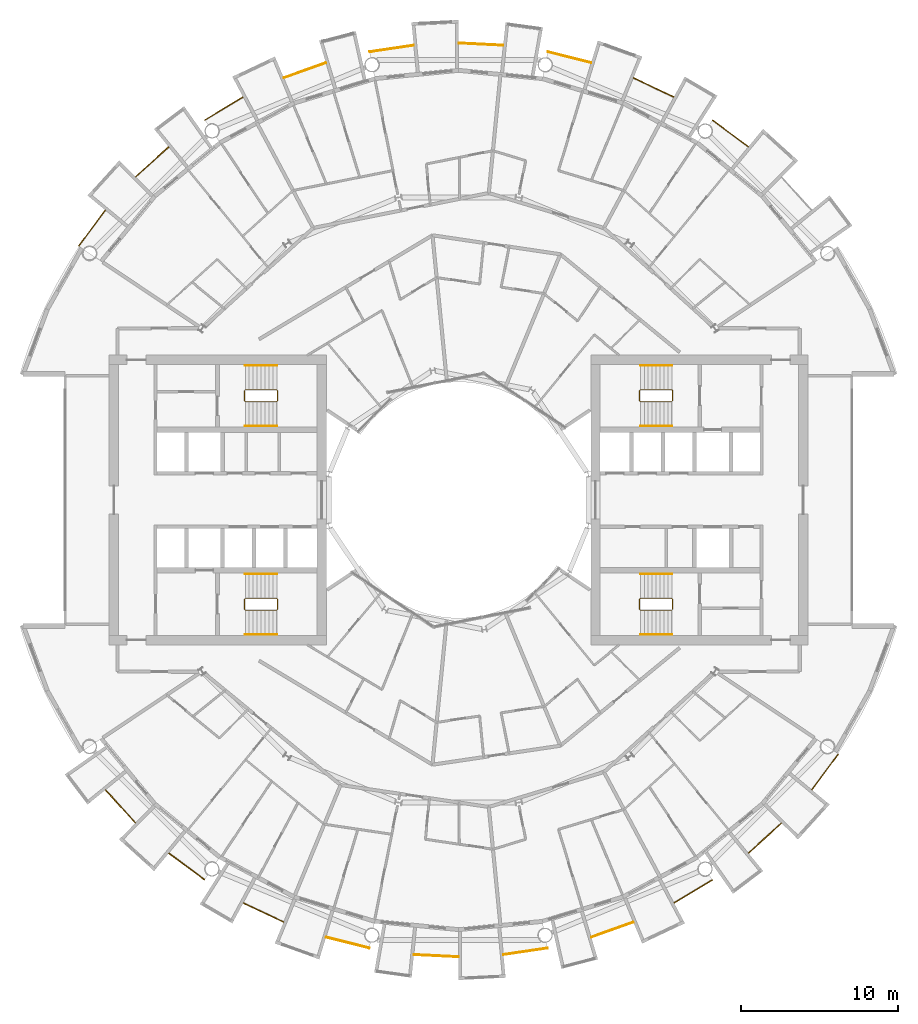
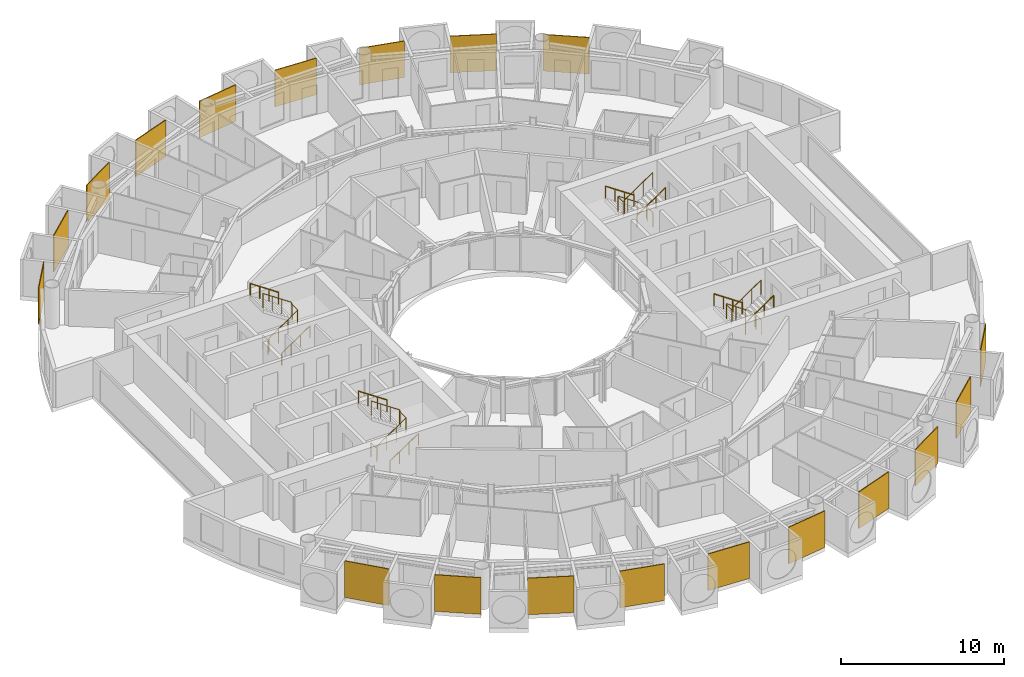
# One storey, part 27 of 28: 31 railings.
"""IFC4 building model written with IfcOpenShell, lengths in metres."""

from ifc_helpers import new_model, si_unit, direction, frame, origin, origin_2d, place, context, subcontext, project, spatial, polyline, circle, outline, extrude, material, layer, layer_set, type_object, element, save


model = new_model("IFC4")

# Units and contexts
model_context = context("Model", 3, precision=1e-05, world=origin(), true_north=direction((0.0, 1.0)))
body_context = subcontext(model_context, "Body", "Model", "MODEL_VIEW")
ifc_project = project(units=[si_unit("LENGTHUNIT", "METRE"), si_unit("AREAUNIT", "SQUARE_METRE"), si_unit("VOLUMEUNIT", "CUBIC_METRE"), si_unit("PLANEANGLEUNIT", "RADIAN"), si_unit("MASSUNIT", "GRAM", prefix="KILO")], contexts=[model_context])

# Site, building, storey
site_placement = place(None, origin())
site = spatial("IfcSite", under=ifc_project, at=site_placement, CompositionType="ELEMENT")
building_placement = place(site_placement, origin())
building = spatial("IfcBuilding", under=site, at=building_placement, Name="Maasbend Ring Residences", CompositionType="ELEMENT")
storey_placement = place(building_placement, frame((0.0, 0.0, 129.949951171875)))
storey = spatial("IfcBuildingStorey", under=building, at=storey_placement, Name="L37", CompositionType="ELEMENT", Elevation=129.949951171875)

# Railings
ifc_material_1 = material(Name="Pale anodised perforated aluminium", Category="aluminium")
ifc_layer = layer(ifc_material_1, 0.06005859375)
ifc_layer_set = layer_set([ifc_layer], Name="SCREEN-P")
railing_type_1 = type_object("IfcRailingType", Name="SCREEN-P", PredefinedType="GUARDRAIL", material=ifc_layer_set)
railing_1_placement = place(storey_placement, frame((0.0, 0.0, -0.030029296875)))
element("IfcRailing", 1, at=railing_1_placement, inside=storey, type_object=railing_type_1, Name="Perforated screen guard 2", PredefinedType="GUARDRAIL", context=body_context, shape_type="SweptSolid", body=[
    extrude(outline(polyline([(18.39697265625, 22.4169921875), (16.112060546875, 24.113037109375), (16.14697265625, 24.160888671875), (18.43310546875, 22.465087890625), (18.39697265625, 22.4169921875)])), origin(), (0.0, 0.0, 1.0), 2.72998046875),
])
railing_2_placement = place(storey_placement, frame((0.0, 0.0, -0.030029296875)))
element("IfcRailing", 2, at=railing_2_placement, inside=storey, type_object=railing_type_1, Name="Perforated screen guard 3", PredefinedType="GUARDRAIL", context=body_context, shape_type="SweptSolid", body=[
    extrude(outline(polyline([(13.6708984375, 25.575927734375), (11.097900390625, 26.79296875), (11.123046875, 26.846923828125), (13.696044921875, 25.6298828125), (13.6708984375, 25.575927734375)])), origin(), (0.0, 0.0, 1.0), 2.72998046875),
])
railing_3_placement = place(storey_placement, frame((0.0, 0.0, -0.030029296875)))
element("IfcRailing", 3, at=railing_3_placement, inside=storey, type_object=railing_type_1, Name="Perforated screen guard 4", PredefinedType="GUARDRAIL", context=body_context, shape_type="SweptSolid", body=[
    extrude(outline(polyline([(8.41796875, 27.7509765625), (5.657958984375, 28.443115234375), (5.672119140625, 28.5009765625), (8.43310546875, 27.80908203125), (8.41796875, 27.7509765625)])), origin(), (0.0, 0.0, 1.0), 2.72998046875),
])
railing_4_placement = place(storey_placement, frame((0.0, 0.0, -0.030029296875)))
element("IfcRailing", 4, at=railing_4_placement, inside=storey, type_object=railing_type_1, Name="Perforated screen guard 5", PredefinedType="GUARDRAIL", context=body_context, shape_type="SweptSolid", body=[
    extrude(outline(polyline([(2.842041015625, 28.860107421875), (0.0, 29.0), (0.0029296875, 29.06005859375), (2.844970703125, 28.919921875), (2.842041015625, 28.860107421875)])), origin(), (0.0, 0.0, 1.0), 2.72998046875),
])
railing_5_placement = place(storey_placement, frame((0.0, 0.0, -0.030029296875)))
element("IfcRailing", 5, at=railing_5_placement, inside=storey, type_object=railing_type_1, Name="Perforated screen guard 6", PredefinedType="GUARDRAIL", context=body_context, shape_type="SweptSolid", body=[
    extrude(outline(polyline([(-2.842041015625, 28.860107421875), (-5.657958984375, 28.443115234375), (-5.666015625, 28.501953125), (-2.85107421875, 28.919921875), (-2.842041015625, 28.860107421875)])), origin(), (0.0, 0.0, 1.0), 2.72998046875),
])
railing_6_placement = place(storey_placement, frame((0.0, 0.0, -0.030029296875)))
element("IfcRailing", 6, at=railing_6_placement, inside=storey, type_object=railing_type_1, Name="Perforated screen guard 7", PredefinedType="GUARDRAIL", context=body_context, shape_type="SweptSolid", body=[
    extrude(outline(polyline([(-8.41796875, 27.7509765625), (-11.097900390625, 26.79296875), (-11.117919921875, 26.84912109375), (-8.43798828125, 27.80810546875), (-8.41796875, 27.7509765625)])), origin(), (0.0, 0.0, 1.0), 2.72998046875),
])
railing_7_placement = place(storey_placement, frame((0.0, 0.0, -0.030029296875)))
element("IfcRailing", 7, at=railing_7_placement, inside=storey, type_object=railing_type_1, Name="Perforated screen guard 8", PredefinedType="GUARDRAIL", context=body_context, shape_type="SweptSolid", body=[
    extrude(outline(polyline([(-13.6708984375, 25.575927734375), (-16.112060546875, 24.113037109375), (-16.14208984375, 24.1640625), (-13.700927734375, 25.626953125), (-13.6708984375, 25.575927734375)])), origin(), (0.0, 0.0, 1.0), 2.72998046875),
])
railing_8_placement = place(storey_placement, frame((0.0, 0.0, -0.030029296875)))
element("IfcRailing", 8, at=railing_8_placement, inside=storey, type_object=railing_type_1, Name="Perforated screen guard 9", PredefinedType="GUARDRAIL", context=body_context, shape_type="SweptSolid", body=[
    extrude(outline(polyline([(-18.39697265625, 22.4169921875), (-20.506103515625, 20.506103515625), (-20.5458984375, 20.551025390625), (-18.43798828125, 22.4619140625), (-18.39697265625, 22.4169921875)])), origin(), (0.0, 0.0, 1.0), 2.72998046875),
])
railing_9_placement = place(storey_placement, frame((0.0, 0.0, -0.030029296875)))
element("IfcRailing", 9, at=railing_9_placement, inside=storey, type_object=railing_type_1, Name="Perforated screen guard 10", PredefinedType="GUARDRAIL", context=body_context, shape_type="SweptSolid", body=[
    extrude(outline(polyline([(-22.4169921875, 18.39697265625), (-24.113037109375, 16.112060546875), (-24.160888671875, 16.14697265625), (-22.465087890625, 18.43310546875), (-22.4169921875, 18.39697265625)])), origin(), (0.0, 0.0, 1.0), 2.72998046875),
])
railing_10_placement = place(storey_placement, frame((0.0, 0.0, -0.030029296875)))
element("IfcRailing", 10, at=railing_10_placement, inside=storey, type_object=railing_type_1, Name="Perforated screen guard 1", PredefinedType="GUARDRAIL", context=body_context, shape_type="SweptSolid", body=[
    extrude(outline(polyline([(-22.4169921875, -18.39697265625), (-20.506103515625, -20.506103515625), (-20.551025390625, -20.5458984375), (-22.4619140625, -18.43798828125), (-22.4169921875, -18.39697265625)])), origin(), (0.0, 0.0, 1.0), 2.72998046875),
])
railing_11_placement = place(storey_placement, frame((0.0, 0.0, -0.030029296875)))
element("IfcRailing", 11, at=railing_11_placement, inside=storey, type_object=railing_type_1, Name="Perforated screen guard 2", PredefinedType="GUARDRAIL", context=body_context, shape_type="SweptSolid", body=[
    extrude(outline(polyline([(-18.39697265625, -22.4169921875), (-16.112060546875, -24.113037109375), (-16.14697265625, -24.160888671875), (-18.43310546875, -22.465087890625), (-18.39697265625, -22.4169921875)])), origin(), (0.0, 0.0, 1.0), 2.72998046875),
])
railing_12_placement = place(storey_placement, frame((0.0, 0.0, -0.030029296875)))
element("IfcRailing", 12, at=railing_12_placement, inside=storey, type_object=railing_type_1, Name="Perforated screen guard 3", PredefinedType="GUARDRAIL", context=body_context, shape_type="SweptSolid", body=[
    extrude(outline(polyline([(-13.6708984375, -25.575927734375), (-11.097900390625, -26.79296875), (-11.123046875, -26.846923828125), (-13.696044921875, -25.6298828125), (-13.6708984375, -25.575927734375)])), origin(), (0.0, 0.0, 1.0), 2.72998046875),
])
railing_13_placement = place(storey_placement, frame((0.0, 0.0, -0.030029296875)))
element("IfcRailing", 13, at=railing_13_placement, inside=storey, type_object=railing_type_1, Name="Perforated screen guard 4", PredefinedType="GUARDRAIL", context=body_context, shape_type="SweptSolid", body=[
    extrude(outline(polyline([(-8.41796875, -27.7509765625), (-5.657958984375, -28.443115234375), (-5.672119140625, -28.5009765625), (-8.43310546875, -27.80908203125), (-8.41796875, -27.7509765625)])), origin(), (0.0, 0.0, 1.0), 2.72998046875),
])
railing_14_placement = place(storey_placement, frame((0.0, 0.0, -0.030029296875)))
element("IfcRailing", 14, at=railing_14_placement, inside=storey, type_object=railing_type_1, Name="Perforated screen guard 5", PredefinedType="GUARDRAIL", context=body_context, shape_type="SweptSolid", body=[
    extrude(outline(polyline([(-2.842041015625, -28.860107421875), (0.0, -29.0), (-0.0029296875, -29.06005859375), (-2.844970703125, -28.919921875), (-2.842041015625, -28.860107421875)])), origin(), (0.0, 0.0, 1.0), 2.72998046875),
])
railing_15_placement = place(storey_placement, frame((0.0, 0.0, -0.030029296875)))
element("IfcRailing", 15, at=railing_15_placement, inside=storey, type_object=railing_type_1, Name="Perforated screen guard 6", PredefinedType="GUARDRAIL", context=body_context, shape_type="SweptSolid", body=[
    extrude(outline(polyline([(2.842041015625, -28.860107421875), (5.657958984375, -28.443115234375), (5.666015625, -28.501953125), (2.85107421875, -28.919921875), (2.842041015625, -28.860107421875)])), origin(), (0.0, 0.0, 1.0), 2.72998046875),
])
railing_16_placement = place(storey_placement, frame((0.0, 0.0, -0.030029296875)))
element("IfcRailing", 16, at=railing_16_placement, inside=storey, type_object=railing_type_1, Name="Perforated screen guard 7", PredefinedType="GUARDRAIL", context=body_context, shape_type="SweptSolid", body=[
    extrude(outline(polyline([(8.41796875, -27.7509765625), (11.097900390625, -26.79296875), (11.117919921875, -26.84912109375), (8.43798828125, -27.80810546875), (8.41796875, -27.7509765625)])), origin(), (0.0, 0.0, 1.0), 2.72998046875),
])
railing_17_placement = place(storey_placement, frame((0.0, 0.0, -0.030029296875)))
element("IfcRailing", 17, at=railing_17_placement, inside=storey, type_object=railing_type_1, Name="Perforated screen guard 8", PredefinedType="GUARDRAIL", context=body_context, shape_type="SweptSolid", body=[
    extrude(outline(polyline([(13.6708984375, -25.575927734375), (16.112060546875, -24.113037109375), (16.14208984375, -24.1640625), (13.700927734375, -25.626953125), (13.6708984375, -25.575927734375)])), origin(), (0.0, 0.0, 1.0), 2.72998046875),
])
railing_18_placement = place(storey_placement, frame((0.0, 0.0, -0.030029296875)))
element("IfcRailing", 18, at=railing_18_placement, inside=storey, type_object=railing_type_1, Name="Perforated screen guard 9", PredefinedType="GUARDRAIL", context=body_context, shape_type="SweptSolid", body=[
    extrude(outline(polyline([(18.39697265625, -22.4169921875), (20.506103515625, -20.506103515625), (20.5458984375, -20.551025390625), (18.43798828125, -22.4619140625), (18.39697265625, -22.4169921875)])), origin(), (0.0, 0.0, 1.0), 2.72998046875),
])
railing_19_placement = place(storey_placement, frame((0.0, 0.0, -0.030029296875)))
element("IfcRailing", 19, at=railing_19_placement, inside=storey, type_object=railing_type_1, Name="Perforated screen guard 10", PredefinedType="GUARDRAIL", context=body_context, shape_type="SweptSolid", body=[
    extrude(outline(polyline([(22.4169921875, -18.39697265625), (24.113037109375, -16.112060546875), (24.160888671875, -16.14697265625), (22.465087890625, -18.43310546875), (22.4169921875, -18.39697265625)])), origin(), (0.0, 0.0, 1.0), 2.72998046875),
])
ifc_material_2 = material(Name="Stainless steel 316", Category="steel")
railing_type_2 = type_object("IfcRailingType", Name="STAIR GUARD 1100", PredefinedType="GUARDRAIL", material=ifc_material_2)
railing_20_placement = place(storey_placement, frame((13.60009765625, 6.300048828125, 0.0)))
element("IfcRailing", 20, at=railing_20_placement, inside=storey, type_object=railing_type_2, Name="L37 ST-E1 stair guard 1", PredefinedType="GUARDRAIL", context=body_context, shape_type="SweptSolid", body=[
    extrude(circle(Radius=0.02392578125, at=origin_2d()), frame((0.0, 0.0, 1.076171875), z_axis=(0.0, 1.0, 0.0), x_axis=(-1.0, 0.0, 0.0)), (0.0, 0.0, 1.0), 0.64990234375),
    extrude(circle(Radius=0.02392578125, at=origin_2d()), frame((0.0, 0.64990234375, 1.076171875), z_axis=(-0.272562526181, 0.272562526181, 0.92272386912), x_axis=(-0.707106781187, -0.707106781187, 0.0)), (0.0, 0.0, 1.0), 0.18359375),
    extrude(circle(Radius=0.02392578125, at=origin_2d()), frame((-0.050048828125, 0.699951171875, 1.24560546875), z_axis=(-0.827750655447, 0.0, 0.561096116906), x_axis=(0.0, -1.0, 0.0)), (0.0, 0.0, 1.0), 2.416259765625),
    extrude(circle(Radius=0.02392578125, at=origin_2d()), frame((-2.050048828125, 0.699951171875, 2.60107421875), z_axis=(-0.707106781187, -0.707106781187, 0.0), x_axis=(0.707106781187, -0.707106781187, 0.0)), (0.0, 0.0, 1.0), 0.07080078125),
    extrude(circle(Radius=0.02392578125, at=origin_2d()), frame((-2.10009765625, 0.64990234375, 2.60107421875), z_axis=(0.0, -1.0, 0.0), x_axis=(1.0, 0.0, 0.0)), (0.0, 0.0, 1.0), 0.64990234375),
    extrude(circle(Radius=0.02392578125, at=origin_2d()), frame((-2.10009765625, 0.0, 2.60107421875), z_axis=(0.272562526181, -0.272562526181, 0.92272386912), x_axis=(0.707106781187, 0.707106781187, 0.0)), (0.0, 0.0, 1.0), 0.18359375),
    extrude(circle(Radius=0.02392578125, at=origin_2d()), frame((-2.050048828125, -0.050048828125, 2.7705078125), z_axis=(0.827797584762, 0.0, 0.561026878735), x_axis=(0.0, 1.0, 0.0)), (0.0, 0.0, 1.0), 2.416015625),
    extrude(circle(Radius=0.02099609375, at=origin_2d()), origin(), (0.0, 0.0, 1.0), 1.052001953125),
    extrude(circle(Radius=0.02099609375, at=origin_2d()), frame((0.0, 0.64990234375, 0.0)), (0.0, 0.0, 1.0), 1.052001953125),
    extrude(circle(Radius=0.02099609375, at=origin_2d()), frame((-0.050048828125, 0.699951171875, 0.16943359375)), (0.0, 0.0, 1.0), 1.052001953125),
    extrude(circle(Radius=0.02099609375, at=origin_2d()), frame((-0.716796875, 0.699951171875, 0.621337890625)), (0.0, 0.0, 1.0), 1.052001953125),
    extrude(circle(Radius=0.02099609375, at=origin_2d()), frame((-1.38330078125, 0.699951171875, 1.0732421875)), (0.0, 0.0, 1.0), 1.052001953125),
    extrude(circle(Radius=0.02099609375, at=origin_2d()), frame((-2.050048828125, 0.699951171875, 1.525146484375)), (0.0, 0.0, 1.0), 1.052001953125),
    extrude(circle(Radius=0.02099609375, at=origin_2d()), frame((-2.10009765625, 0.64990234375, 1.525146484375)), (0.0, 0.0, 1.0), 1.052001953125),
    extrude(circle(Radius=0.02099609375, at=origin_2d()), frame((-2.10009765625, 0.0, 1.525146484375)), (0.0, 0.0, 1.0), 1.052001953125),
    extrude(circle(Radius=0.02099609375, at=origin_2d()), frame((-2.050048828125, -0.050048828125, 1.694580078125)), (0.0, 0.0, 1.0), 1.052001953125),
    extrude(circle(Radius=0.02099609375, at=origin_2d()), frame((-1.38330078125, -0.050048828125, 2.146484375)), (0.0, 0.0, 1.0), 1.052001953125),
    extrude(circle(Radius=0.02099609375, at=origin_2d()), frame((-0.716796875, -0.050048828125, 2.59814453125)), (0.0, 0.0, 1.0), 1.052001953125),
    extrude(circle(Radius=0.02099609375, at=origin_2d()), frame((-0.050048828125, -0.050048828125, 3.050048828125)), (0.0, 0.0, 1.0), 1.052001953125),
])
railing_21_placement = place(storey_placement, frame((13.60009765625, -6.949951171875, 0.0)))
element("IfcRailing", 21, at=railing_21_placement, inside=storey, type_object=railing_type_2, Name="L37 ST-E2 stair guard 1", PredefinedType="GUARDRAIL", context=body_context, shape_type="SweptSolid", body=[
    extrude(circle(Radius=0.02392578125, at=origin_2d()), frame((0.0, 0.0, 1.076171875), z_axis=(0.0, 1.0, 0.0), x_axis=(-1.0, 0.0, 0.0)), (0.0, 0.0, 1.0), 0.64990234375),
    extrude(circle(Radius=0.02392578125, at=origin_2d()), frame((0.0, 0.64990234375, 1.076171875), z_axis=(-0.272562526181, 0.272562526181, 0.92272386912), x_axis=(-0.707106781187, -0.707106781187, 0.0)), (0.0, 0.0, 1.0), 0.18359375),
    extrude(circle(Radius=0.02392578125, at=origin_2d()), frame((-0.050048828125, 0.699951171875, 1.24560546875), z_axis=(-0.827750655447, 0.0, 0.561096116906), x_axis=(0.0, -1.0, 0.0)), (0.0, 0.0, 1.0), 2.416259765625),
    extrude(circle(Radius=0.02392578125, at=origin_2d()), frame((-2.050048828125, 0.699951171875, 2.60107421875), z_axis=(-0.707106781187, -0.707106781187, 0.0), x_axis=(0.707106781187, -0.707106781187, 0.0)), (0.0, 0.0, 1.0), 0.07080078125),
    extrude(circle(Radius=0.02392578125, at=origin_2d()), frame((-2.10009765625, 0.64990234375, 2.60107421875), z_axis=(0.0, -1.0, 0.0), x_axis=(1.0, 0.0, 0.0)), (0.0, 0.0, 1.0), 0.64990234375),
    extrude(circle(Radius=0.02392578125, at=origin_2d()), frame((-2.10009765625, 0.0, 2.60107421875), z_axis=(0.272562526181, -0.272562526181, 0.92272386912), x_axis=(0.707106781187, 0.707106781187, 0.0)), (0.0, 0.0, 1.0), 0.18359375),
    extrude(circle(Radius=0.02392578125, at=origin_2d()), frame((-2.050048828125, -0.050048828125, 2.7705078125), z_axis=(0.827797584762, 0.0, 0.561026878735), x_axis=(0.0, 1.0, 0.0)), (0.0, 0.0, 1.0), 2.416015625),
    extrude(circle(Radius=0.02099609375, at=origin_2d()), origin(), (0.0, 0.0, 1.0), 1.052001953125),
    extrude(circle(Radius=0.02099609375, at=origin_2d()), frame((0.0, 0.64990234375, 0.0)), (0.0, 0.0, 1.0), 1.052001953125),
    extrude(circle(Radius=0.02099609375, at=origin_2d()), frame((-0.050048828125, 0.699951171875, 0.16943359375)), (0.0, 0.0, 1.0), 1.052001953125),
    extrude(circle(Radius=0.02099609375, at=origin_2d()), frame((-0.716796875, 0.699951171875, 0.621337890625)), (0.0, 0.0, 1.0), 1.052001953125),
    extrude(circle(Radius=0.02099609375, at=origin_2d()), frame((-1.38330078125, 0.699951171875, 1.0732421875)), (0.0, 0.0, 1.0), 1.052001953125),
    extrude(circle(Radius=0.02099609375, at=origin_2d()), frame((-2.050048828125, 0.699951171875, 1.525146484375)), (0.0, 0.0, 1.0), 1.052001953125),
    extrude(circle(Radius=0.02099609375, at=origin_2d()), frame((-2.10009765625, 0.64990234375, 1.525146484375)), (0.0, 0.0, 1.0), 1.052001953125),
    extrude(circle(Radius=0.02099609375, at=origin_2d()), frame((-2.10009765625, 0.0, 1.525146484375)), (0.0, 0.0, 1.0), 1.052001953125),
    extrude(circle(Radius=0.02099609375, at=origin_2d()), frame((-2.050048828125, -0.050048828125, 1.694580078125)), (0.0, 0.0, 1.0), 1.052001953125),
    extrude(circle(Radius=0.02099609375, at=origin_2d()), frame((-1.38330078125, -0.050048828125, 2.146484375)), (0.0, 0.0, 1.0), 1.052001953125),
    extrude(circle(Radius=0.02099609375, at=origin_2d()), frame((-0.716796875, -0.050048828125, 2.59814453125)), (0.0, 0.0, 1.0), 1.052001953125),
    extrude(circle(Radius=0.02099609375, at=origin_2d()), frame((-0.050048828125, -0.050048828125, 3.050048828125)), (0.0, 0.0, 1.0), 1.052001953125),
])
railing_22_placement = place(storey_placement, frame((-13.60009765625, -6.300048828125, 0.0)))
element("IfcRailing", 22, at=railing_22_placement, inside=storey, type_object=railing_type_2, Name="L37 ST-W1 stair guard 1", PredefinedType="GUARDRAIL", context=body_context, shape_type="SweptSolid", body=[
    extrude(circle(Radius=0.02392578125, at=origin_2d()), frame((0.0, 0.0, 1.076171875), z_axis=(0.0, -1.0, 0.0), x_axis=(1.0, 0.0, 0.0)), (0.0, 0.0, 1.0), 0.64990234375),
    extrude(circle(Radius=0.02392578125, at=origin_2d()), frame((0.0, -0.64990234375, 1.076171875), z_axis=(0.272562526181, -0.272562526181, 0.92272386912), x_axis=(0.707106781187, 0.707106781187, 0.0)), (0.0, 0.0, 1.0), 0.18359375),
    extrude(circle(Radius=0.02392578125, at=origin_2d()), frame((0.050048828125, -0.699951171875, 1.24560546875), z_axis=(0.827750655447, 0.0, 0.561096116906), x_axis=(0.0, 1.0, 0.0)), (0.0, 0.0, 1.0), 2.416259765625),
    extrude(circle(Radius=0.02392578125, at=origin_2d()), frame((2.050048828125, -0.699951171875, 2.60107421875), z_axis=(0.707106781187, 0.707106781187, 0.0), x_axis=(-0.707106781187, 0.707106781187, 0.0)), (0.0, 0.0, 1.0), 0.07080078125),
    extrude(circle(Radius=0.02392578125, at=origin_2d()), frame((2.10009765625, -0.64990234375, 2.60107421875), z_axis=(0.0, 1.0, 0.0), x_axis=(-1.0, 0.0, 0.0)), (0.0, 0.0, 1.0), 0.64990234375),
    extrude(circle(Radius=0.02392578125, at=origin_2d()), frame((2.10009765625, 0.0, 2.60107421875), z_axis=(-0.272562526181, 0.272562526181, 0.92272386912), x_axis=(-0.707106781187, -0.707106781187, 0.0)), (0.0, 0.0, 1.0), 0.18359375),
    extrude(circle(Radius=0.02392578125, at=origin_2d()), frame((2.050048828125, 0.050048828125, 2.7705078125), z_axis=(-0.827797584762, 0.0, 0.561026878735), x_axis=(0.0, -1.0, 0.0)), (0.0, 0.0, 1.0), 2.416015625),
    extrude(circle(Radius=0.02099609375, at=origin_2d()), origin(), (0.0, 0.0, 1.0), 1.052001953125),
    extrude(circle(Radius=0.02099609375, at=origin_2d()), frame((0.0, -0.64990234375, 0.0)), (0.0, 0.0, 1.0), 1.052001953125),
    extrude(circle(Radius=0.02099609375, at=origin_2d()), frame((0.050048828125, -0.699951171875, 0.16943359375)), (0.0, 0.0, 1.0), 1.052001953125),
    extrude(circle(Radius=0.02099609375, at=origin_2d()), frame((0.716796875, -0.699951171875, 0.621337890625)), (0.0, 0.0, 1.0), 1.052001953125),
    extrude(circle(Radius=0.02099609375, at=origin_2d()), frame((1.38330078125, -0.699951171875, 1.0732421875)), (0.0, 0.0, 1.0), 1.052001953125),
    extrude(circle(Radius=0.02099609375, at=origin_2d()), frame((2.050048828125, -0.699951171875, 1.525146484375)), (0.0, 0.0, 1.0), 1.052001953125),
    extrude(circle(Radius=0.02099609375, at=origin_2d()), frame((2.10009765625, -0.64990234375, 1.525146484375)), (0.0, 0.0, 1.0), 1.052001953125),
    extrude(circle(Radius=0.02099609375, at=origin_2d()), frame((2.10009765625, 0.0, 1.525146484375)), (0.0, 0.0, 1.0), 1.052001953125),
    extrude(circle(Radius=0.02099609375, at=origin_2d()), frame((2.050048828125, 0.050048828125, 1.694580078125)), (0.0, 0.0, 1.0), 1.052001953125),
    extrude(circle(Radius=0.02099609375, at=origin_2d()), frame((1.38330078125, 0.050048828125, 2.146484375)), (0.0, 0.0, 1.0), 1.052001953125),
    extrude(circle(Radius=0.02099609375, at=origin_2d()), frame((0.716796875, 0.050048828125, 2.59814453125)), (0.0, 0.0, 1.0), 1.052001953125),
    extrude(circle(Radius=0.02099609375, at=origin_2d()), frame((0.050048828125, 0.050048828125, 3.050048828125)), (0.0, 0.0, 1.0), 1.052001953125),
])
railing_23_placement = place(storey_placement, frame((-13.60009765625, 6.949951171875, 0.0)))
element("IfcRailing", 23, at=railing_23_placement, inside=storey, type_object=railing_type_2, Name="L37 ST-W2 stair guard 1", PredefinedType="GUARDRAIL", context=body_context, shape_type="SweptSolid", body=[
    extrude(circle(Radius=0.02392578125, at=origin_2d()), frame((0.0, 0.0, 1.076171875), z_axis=(0.0, -1.0, 0.0), x_axis=(1.0, 0.0, 0.0)), (0.0, 0.0, 1.0), 0.64990234375),
    extrude(circle(Radius=0.02392578125, at=origin_2d()), frame((0.0, -0.64990234375, 1.076171875), z_axis=(0.272562526181, -0.272562526181, 0.92272386912), x_axis=(0.707106781187, 0.707106781187, 0.0)), (0.0, 0.0, 1.0), 0.18359375),
    extrude(circle(Radius=0.02392578125, at=origin_2d()), frame((0.050048828125, -0.699951171875, 1.24560546875), z_axis=(0.827750655447, 0.0, 0.561096116906), x_axis=(0.0, 1.0, 0.0)), (0.0, 0.0, 1.0), 2.416259765625),
    extrude(circle(Radius=0.02392578125, at=origin_2d()), frame((2.050048828125, -0.699951171875, 2.60107421875), z_axis=(0.707106781187, 0.707106781187, 0.0), x_axis=(-0.707106781187, 0.707106781187, 0.0)), (0.0, 0.0, 1.0), 0.07080078125),
    extrude(circle(Radius=0.02392578125, at=origin_2d()), frame((2.10009765625, -0.64990234375, 2.60107421875), z_axis=(0.0, 1.0, 0.0), x_axis=(-1.0, 0.0, 0.0)), (0.0, 0.0, 1.0), 0.64990234375),
    extrude(circle(Radius=0.02392578125, at=origin_2d()), frame((2.10009765625, 0.0, 2.60107421875), z_axis=(-0.272562526181, 0.272562526181, 0.92272386912), x_axis=(-0.707106781187, -0.707106781187, 0.0)), (0.0, 0.0, 1.0), 0.18359375),
    extrude(circle(Radius=0.02392578125, at=origin_2d()), frame((2.050048828125, 0.050048828125, 2.7705078125), z_axis=(-0.827797584762, 0.0, 0.561026878735), x_axis=(0.0, -1.0, 0.0)), (0.0, 0.0, 1.0), 2.416015625),
    extrude(circle(Radius=0.02099609375, at=origin_2d()), origin(), (0.0, 0.0, 1.0), 1.052001953125),
    extrude(circle(Radius=0.02099609375, at=origin_2d()), frame((0.0, -0.64990234375, 0.0)), (0.0, 0.0, 1.0), 1.052001953125),
    extrude(circle(Radius=0.02099609375, at=origin_2d()), frame((0.050048828125, -0.699951171875, 0.16943359375)), (0.0, 0.0, 1.0), 1.052001953125),
    extrude(circle(Radius=0.02099609375, at=origin_2d()), frame((0.716796875, -0.699951171875, 0.621337890625)), (0.0, 0.0, 1.0), 1.052001953125),
    extrude(circle(Radius=0.02099609375, at=origin_2d()), frame((1.38330078125, -0.699951171875, 1.0732421875)), (0.0, 0.0, 1.0), 1.052001953125),
    extrude(circle(Radius=0.02099609375, at=origin_2d()), frame((2.050048828125, -0.699951171875, 1.525146484375)), (0.0, 0.0, 1.0), 1.052001953125),
    extrude(circle(Radius=0.02099609375, at=origin_2d()), frame((2.10009765625, -0.64990234375, 1.525146484375)), (0.0, 0.0, 1.0), 1.052001953125),
    extrude(circle(Radius=0.02099609375, at=origin_2d()), frame((2.10009765625, 0.0, 1.525146484375)), (0.0, 0.0, 1.0), 1.052001953125),
    extrude(circle(Radius=0.02099609375, at=origin_2d()), frame((2.050048828125, 0.050048828125, 1.694580078125)), (0.0, 0.0, 1.0), 1.052001953125),
    extrude(circle(Radius=0.02099609375, at=origin_2d()), frame((1.38330078125, 0.050048828125, 2.146484375)), (0.0, 0.0, 1.0), 1.052001953125),
    extrude(circle(Radius=0.02099609375, at=origin_2d()), frame((0.716796875, 0.050048828125, 2.59814453125)), (0.0, 0.0, 1.0), 1.052001953125),
    extrude(circle(Radius=0.02099609375, at=origin_2d()), frame((0.050048828125, 0.050048828125, 3.050048828125)), (0.0, 0.0, 1.0), 1.052001953125),
])
ifc_material_3 = material(Name="Stainless steel 316", Category="steel")
railing_type_3 = type_object("IfcRailingType", Name="STAIR HANDRAIL 900", PredefinedType="HANDRAIL", material=ifc_material_3)
railing_24_placement = place(storey_placement, frame((13.550048828125, 8.550048828125, 0.16943359375)))
element("IfcRailing", 24, at=railing_24_placement, inside=storey, type_object=railing_type_3, Name="L37 ST-E1 stair handrail 1", PredefinedType="HANDRAIL", context=body_context, shape_type="SweptSolid", body=[
    extrude(circle(Radius=0.02392578125, at=origin_2d()), frame((0.0, 0.0, 0.8759765625), z_axis=(-0.827750655447, 0.0, 0.561096116906), x_axis=(0.0, -1.0, 0.0)), (0.0, 0.0, 1.0), 2.416259765625),
    extrude(circle(Radius=0.02099609375, at=origin_2d()), origin(), (0.0, 0.0, 1.0), 0.851806640625),
    extrude(circle(Radius=0.02099609375, at=origin_2d()), frame((-0.666748046875, 0.0, 0.451904296875)), (0.0, 0.0, 1.0), 0.851806640625),
    extrude(circle(Radius=0.02099609375, at=origin_2d()), frame((-1.333251953125, 0.0, 0.90380859375)), (0.0, 0.0, 1.0), 0.851806640625),
    extrude(circle(Radius=0.02099609375, at=origin_2d()), frame((-2.0, 0.0, 1.355712890625)), (0.0, 0.0, 1.0), 0.851806640625),
])
railing_25_placement = place(storey_placement, frame((11.550048828125, 4.699951171875, 1.694580078125)))
element("IfcRailing", 25, at=railing_25_placement, inside=storey, type_object=railing_type_3, Name="L37 ST-E1 stair handrail 2", PredefinedType="HANDRAIL", context=body_context, shape_type="SweptSolid", body=[
    extrude(circle(Radius=0.02392578125, at=origin_2d()), frame((0.0, 0.0, 0.8759765625), z_axis=(0.827797584762, 0.0, 0.561026878735), x_axis=(0.0, 1.0, 0.0)), (0.0, 0.0, 1.0), 2.416015625),
    extrude(circle(Radius=0.02099609375, at=origin_2d()), origin(), (0.0, 0.0, 1.0), 0.851806640625),
    extrude(circle(Radius=0.02099609375, at=origin_2d()), frame((0.666748046875, 0.0, 0.451904296875)), (0.0, 0.0, 1.0), 0.851806640625),
    extrude(circle(Radius=0.02099609375, at=origin_2d()), frame((1.333251953125, 0.0, 0.903564453125)), (0.0, 0.0, 1.0), 0.851806640625),
    extrude(circle(Radius=0.02099609375, at=origin_2d()), frame((2.0, 0.0, 1.35546875)), (0.0, 0.0, 1.0), 0.851806640625),
])
railing_26_placement = place(storey_placement, frame((13.550048828125, -4.699951171875, 0.16943359375)))
element("IfcRailing", 26, at=railing_26_placement, inside=storey, type_object=railing_type_3, Name="L37 ST-E2 stair handrail 1", PredefinedType="HANDRAIL", context=body_context, shape_type="SweptSolid", body=[
    extrude(circle(Radius=0.02392578125, at=origin_2d()), frame((0.0, 0.0, 0.8759765625), z_axis=(-0.827750655447, 0.0, 0.561096116906), x_axis=(0.0, -1.0, 0.0)), (0.0, 0.0, 1.0), 2.416259765625),
    extrude(circle(Radius=0.02099609375, at=origin_2d()), origin(), (0.0, 0.0, 1.0), 0.851806640625),
    extrude(circle(Radius=0.02099609375, at=origin_2d()), frame((-0.666748046875, 0.0, 0.451904296875)), (0.0, 0.0, 1.0), 0.851806640625),
    extrude(circle(Radius=0.02099609375, at=origin_2d()), frame((-1.333251953125, 0.0, 0.90380859375)), (0.0, 0.0, 1.0), 0.851806640625),
    extrude(circle(Radius=0.02099609375, at=origin_2d()), frame((-2.0, 0.0, 1.355712890625)), (0.0, 0.0, 1.0), 0.851806640625),
])
railing_27_placement = place(storey_placement, frame((11.550048828125, -8.550048828125, 1.694580078125)))
element("IfcRailing", 27, at=railing_27_placement, inside=storey, type_object=railing_type_3, Name="L37 ST-E2 stair handrail 2", PredefinedType="HANDRAIL", context=body_context, shape_type="SweptSolid", body=[
    extrude(circle(Radius=0.02392578125, at=origin_2d()), frame((0.0, 0.0, 0.8759765625), z_axis=(0.827797584762, 0.0, 0.561026878735), x_axis=(0.0, 1.0, 0.0)), (0.0, 0.0, 1.0), 2.416015625),
    extrude(circle(Radius=0.02099609375, at=origin_2d()), origin(), (0.0, 0.0, 1.0), 0.851806640625),
    extrude(circle(Radius=0.02099609375, at=origin_2d()), frame((0.666748046875, 0.0, 0.451904296875)), (0.0, 0.0, 1.0), 0.851806640625),
    extrude(circle(Radius=0.02099609375, at=origin_2d()), frame((1.333251953125, 0.0, 0.903564453125)), (0.0, 0.0, 1.0), 0.851806640625),
    extrude(circle(Radius=0.02099609375, at=origin_2d()), frame((2.0, 0.0, 1.35546875)), (0.0, 0.0, 1.0), 0.851806640625),
])
railing_28_placement = place(storey_placement, frame((-13.550048828125, -8.550048828125, 0.16943359375)))
element("IfcRailing", 28, at=railing_28_placement, inside=storey, type_object=railing_type_3, Name="L37 ST-W1 stair handrail 1", PredefinedType="HANDRAIL", context=body_context, shape_type="SweptSolid", body=[
    extrude(circle(Radius=0.02392578125, at=origin_2d()), frame((0.0, 0.0, 0.8759765625), z_axis=(0.827750655447, 0.0, 0.561096116906), x_axis=(0.0, 1.0, 0.0)), (0.0, 0.0, 1.0), 2.416259765625),
    extrude(circle(Radius=0.02099609375, at=origin_2d()), origin(), (0.0, 0.0, 1.0), 0.851806640625),
    extrude(circle(Radius=0.02099609375, at=origin_2d()), frame((0.666748046875, 0.0, 0.451904296875)), (0.0, 0.0, 1.0), 0.851806640625),
    extrude(circle(Radius=0.02099609375, at=origin_2d()), frame((1.333251953125, 0.0, 0.90380859375)), (0.0, 0.0, 1.0), 0.851806640625),
    extrude(circle(Radius=0.02099609375, at=origin_2d()), frame((2.0, 0.0, 1.355712890625)), (0.0, 0.0, 1.0), 0.851806640625),
])
railing_29_placement = place(storey_placement, frame((-11.550048828125, -4.699951171875, 1.694580078125)))
element("IfcRailing", 29, at=railing_29_placement, inside=storey, type_object=railing_type_3, Name="L37 ST-W1 stair handrail 2", PredefinedType="HANDRAIL", context=body_context, shape_type="SweptSolid", body=[
    extrude(circle(Radius=0.02392578125, at=origin_2d()), frame((0.0, 0.0, 0.8759765625), z_axis=(-0.827797584762, 0.0, 0.561026878735), x_axis=(0.0, -1.0, 0.0)), (0.0, 0.0, 1.0), 2.416015625),
    extrude(circle(Radius=0.02099609375, at=origin_2d()), origin(), (0.0, 0.0, 1.0), 0.851806640625),
    extrude(circle(Radius=0.02099609375, at=origin_2d()), frame((-0.666748046875, 0.0, 0.451904296875)), (0.0, 0.0, 1.0), 0.851806640625),
    extrude(circle(Radius=0.02099609375, at=origin_2d()), frame((-1.333251953125, 0.0, 0.903564453125)), (0.0, 0.0, 1.0), 0.851806640625),
    extrude(circle(Radius=0.02099609375, at=origin_2d()), frame((-2.0, 0.0, 1.35546875)), (0.0, 0.0, 1.0), 0.851806640625),
])
railing_30_placement = place(storey_placement, frame((-13.550048828125, 4.699951171875, 0.16943359375)))
element("IfcRailing", 30, at=railing_30_placement, inside=storey, type_object=railing_type_3, Name="L37 ST-W2 stair handrail 1", PredefinedType="HANDRAIL", context=body_context, shape_type="SweptSolid", body=[
    extrude(circle(Radius=0.02392578125, at=origin_2d()), frame((0.0, 0.0, 0.8759765625), z_axis=(0.827750655447, 0.0, 0.561096116906), x_axis=(0.0, 1.0, 0.0)), (0.0, 0.0, 1.0), 2.416259765625),
    extrude(circle(Radius=0.02099609375, at=origin_2d()), origin(), (0.0, 0.0, 1.0), 0.851806640625),
    extrude(circle(Radius=0.02099609375, at=origin_2d()), frame((0.666748046875, 0.0, 0.451904296875)), (0.0, 0.0, 1.0), 0.851806640625),
    extrude(circle(Radius=0.02099609375, at=origin_2d()), frame((1.333251953125, 0.0, 0.90380859375)), (0.0, 0.0, 1.0), 0.851806640625),
    extrude(circle(Radius=0.02099609375, at=origin_2d()), frame((2.0, 0.0, 1.355712890625)), (0.0, 0.0, 1.0), 0.851806640625),
])
railing_31_placement = place(storey_placement, frame((-11.550048828125, 8.550048828125, 1.694580078125)))
element("IfcRailing", 31, at=railing_31_placement, inside=storey, type_object=railing_type_3, Name="L37 ST-W2 stair handrail 2", PredefinedType="HANDRAIL", context=body_context, shape_type="SweptSolid", body=[
    extrude(circle(Radius=0.02392578125, at=origin_2d()), frame((0.0, 0.0, 0.8759765625), z_axis=(-0.827797584762, 0.0, 0.561026878735), x_axis=(0.0, -1.0, 0.0)), (0.0, 0.0, 1.0), 2.416015625),
    extrude(circle(Radius=0.02099609375, at=origin_2d()), origin(), (0.0, 0.0, 1.0), 0.851806640625),
    extrude(circle(Radius=0.02099609375, at=origin_2d()), frame((-0.666748046875, 0.0, 0.451904296875)), (0.0, 0.0, 1.0), 0.851806640625),
    extrude(circle(Radius=0.02099609375, at=origin_2d()), frame((-1.333251953125, 0.0, 0.903564453125)), (0.0, 0.0, 1.0), 0.851806640625),
    extrude(circle(Radius=0.02099609375, at=origin_2d()), frame((-2.0, 0.0, 1.35546875)), (0.0, 0.0, 1.0), 0.851806640625),
])

save(model, "model.ifc")
